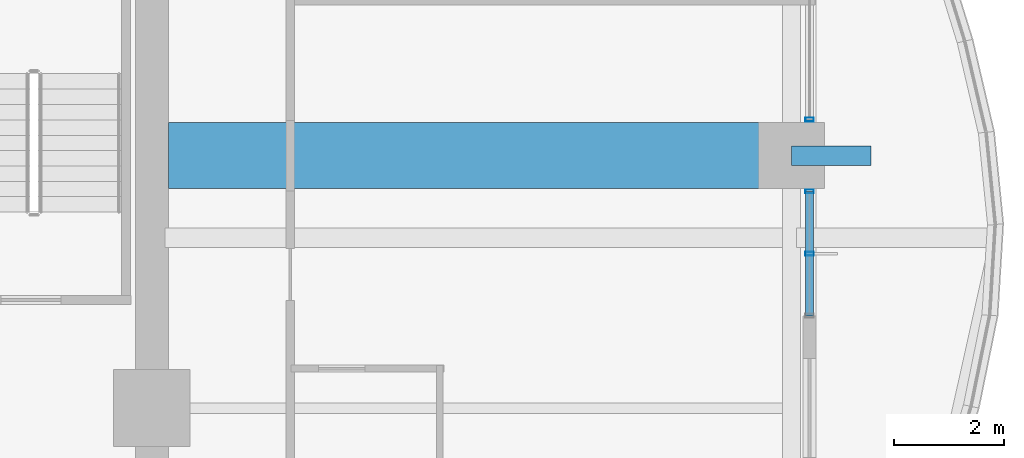
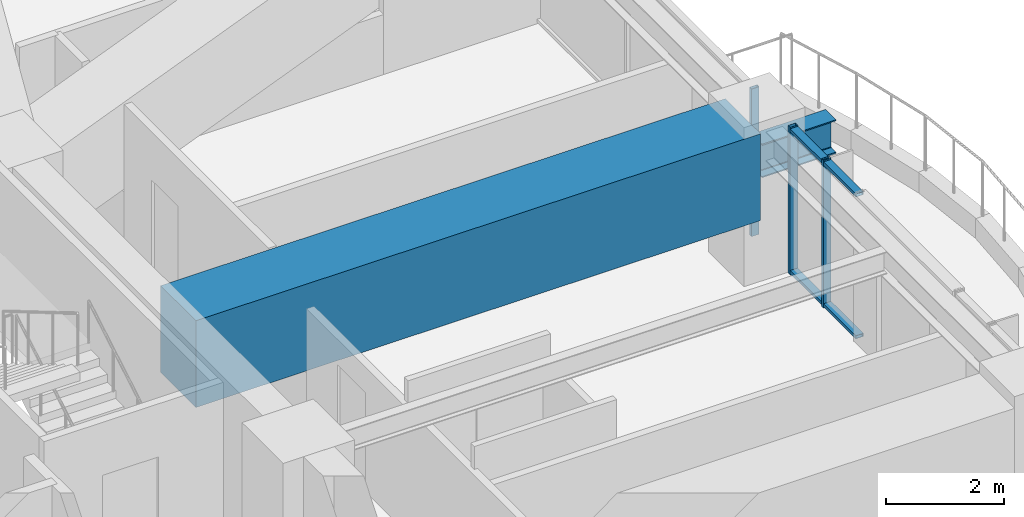
# One storey, part 17 of 39: 5 members, 2 beams, 2 elements without a shape of their own.
"""IFC4 building model written with IfcOpenShell, lengths in metres."""

from ifc_helpers import new_model, si_unit, direction, frame, origin, origin_2d, place, context, subcontext, project, spatial, rectangle, hollow_rectangle, i_section, extrude, material, material_profile, profile_set, type_object, element, aggregate, save


model = new_model("IFC4")

# Units and contexts
model_context = context("Model", 3, precision=1e-05, world=origin(), true_north=direction((0.0, 1.0)))
body_context = subcontext(model_context, "Body", "Model", "MODEL_VIEW")
ifc_project = project(units=[si_unit("LENGTHUNIT", "METRE"), si_unit("AREAUNIT", "SQUARE_METRE"), si_unit("VOLUMEUNIT", "CUBIC_METRE"), si_unit("PLANEANGLEUNIT", "RADIAN"), si_unit("MASSUNIT", "GRAM", prefix="KILO")], contexts=[model_context])

# Site, building, storey
site_placement = place(None, origin())
site = spatial("IfcSite", under=ifc_project, at=site_placement, CompositionType="ELEMENT")
building_placement = place(site_placement, origin())
building = spatial("IfcBuilding", under=site, at=building_placement, Name="Kolvaren Belvedere", CompositionType="ELEMENT")
storey_placement = place(building_placement, frame((0.0, 0.0, 40.300048828125)))
storey = spatial("IfcBuildingStorey", under=building, at=storey_placement, Name="L11", CompositionType="ELEMENT", Elevation=40.300048828125)

# Beams
ifc_material_1 = material(Name="Structural steel ASTM A992 Grade 50", Category="steel")
ifc_material_profile_1 = material_profile(ifc_material_1, i_section(OverallWidth=0.35498046875, OverallDepth=0.696044921875, WebThickness=0.015380859375, FlangeThickness=0.02490234375, FilletRadius=0.02197265625, at=origin_2d()), Name="W27X146")
ifc_profile_set_1 = profile_set([ifc_material_profile_1], Name="Structural steel ASTM A992 Grade 50")
beam_type_1 = type_object("IfcBeamType", Name="BM-CANT-BAL", PredefinedType="BEAM", material=ifc_profile_set_1)
beam_1_placement = place(storey_placement, frame((21.550048828125, 4.60009765625, 2.141845703125), z_axis=(1.0, 0.0, 0.0), x_axis=(0.0, 1.0, 0.0)))
element("IfcBeam", 1, at=beam_1_placement, inside=storey, type_object=beam_type_1, Name="L11 East Picture-Frame Column Corbel P", PredefinedType="BEAM", context=body_context, shape_type="SweptSolid", body=[
    extrude(i_section(OverallWidth=0.35498046875, OverallDepth=0.696044921875, WebThickness=0.015380859375, FlangeThickness=0.02490234375, FilletRadius=0.02197265625, at=origin_2d()), origin(), (0.0, 0.0, 1.0), 1.449951171875),
])
ifc_material_2 = material(Name="Concrete C50/60", Category="concrete")
ifc_material_profile_2 = material_profile(ifc_material_2, rectangle(XDim=1.199951171875, YDim=1.800048828125, at=origin_2d()), Name="RC 1200X1800")
ifc_profile_set_2 = profile_set([ifc_material_profile_2], Name="Concrete C50/60")
beam_type_2 = type_object("IfcBeamType", Name="BM-TG-1800", PredefinedType="BEAM", material=ifc_profile_set_2)
beam_2_placement = place(storey_placement, frame((10.199951171875, 4.60009765625, 2.159912109375), z_axis=(1.0, 0.0, 0.0), x_axis=(0.0, 1.0, 0.0)))
element("IfcBeam", 2, at=beam_2_placement, inside=storey, type_object=beam_type_2, Name="L11 East Radial Girder P", PredefinedType="BEAM", context=body_context, shape_type="SweptSolid", body=[
    extrude(rectangle(XDim=1.199951171875, YDim=1.800048828125, at=origin_2d()), origin(), (0.0, 0.0, 1.0), 11.080078125),
])

# Curtain wall, member
ifc_material_3 = material(Name="Anodised pale-metal aluminium AA 6063-T6", Category="aluminium")
curtain_wall_type = type_object("IfcCurtainWallType", Name="CW-Z1-LOW", PredefinedType="NOTDEFINED", material=ifc_material_3)
curtain_wall_1_placement = place(storey_placement, origin())
curtain_wall_1 = element("IfcCurtainWall", 3, at=curtain_wall_1_placement, inside=storey, type_object=curtain_wall_type, Name="L11 Unitised Curtain Wall FCW-L11-E1-B1", PredefinedType="NOTDEFINED")
ifc_material_4 = material(Name="Anodised pale-metal aluminium AA 6063-T6", Category="aluminium")
ifc_material_profile_3 = material_profile(ifc_material_4, hollow_rectangle(XDim=0.070068359375, YDim=0.14990234375, WallThickness=0.004150390625, at=origin_2d()), Name="ALU-MUL-150X70")
ifc_profile_set_3 = profile_set([ifc_material_profile_3], Name="Anodised pale-metal aluminium AA 6063-T6")
member_type_1 = type_object("IfcMemberType", Name="CW-MUL-150", PredefinedType="MULLION", material=ifc_profile_set_3)
member_1_placement = place(storey_placement, frame((21.8798828125, 5.2548828125, 0.0), z_axis=(0.0, 0.0, 1.0), x_axis=(0.0, 1.0, 0.0)))
member_1 = element("IfcMember", 4, at=member_1_placement, type_object=member_type_1, Name="FCW-L11-E1-B1 Unitised Mullion 3", PredefinedType="MULLION", context=body_context, shape_type="SweptSolid", body=[
    extrude(hollow_rectangle(XDim=0.070068359375, YDim=0.14990234375, WallThickness=0.004150390625, at=origin_2d()), origin(), (0.0, 0.0, 1.0), 3.06005859375),
])
aggregate(curtain_wall_1, [member_1])

# Curtain wall, members
curtain_wall_2_placement = place(storey_placement, origin())
curtain_wall_2 = element("IfcCurtainWall", 5, at=curtain_wall_2_placement, inside=storey, type_object=curtain_wall_type, Name="L11 Unitised Curtain Wall FCW-L11-E1-B2", PredefinedType="NOTDEFINED")
member_2_placement = place(storey_placement, frame((21.8798828125, 3.945068359375, 0.0), z_axis=(0.0, 0.0, 1.0), x_axis=(0.0, 1.0, 0.0)))
member_2 = element("IfcMember", 6, at=member_2_placement, type_object=member_type_1, Name="FCW-L11-E1-B2 Unitised Mullion 1", PredefinedType="MULLION", context=body_context, shape_type="SweptSolid", body=[
    extrude(hollow_rectangle(XDim=0.070068359375, YDim=0.14990234375, WallThickness=0.004150390625, at=origin_2d()), origin(), (0.0, 0.0, 1.0), 3.06005859375),
])
member_3_placement = place(storey_placement, frame((21.8798828125, 2.8125, 0.0), z_axis=(0.0, 0.0, 1.0), x_axis=(0.0, 1.0, 0.0)))
member_3 = element("IfcMember", 7, at=member_3_placement, type_object=member_type_1, Name="FCW-L11-E1-B2 Unitised Mullion 2", PredefinedType="MULLION", context=body_context, shape_type="SweptSolid", body=[
    extrude(hollow_rectangle(XDim=0.070068359375, YDim=0.14990234375, WallThickness=0.004150390625, at=origin_2d()), origin(), (0.0, 0.0, 1.0), 3.06005859375),
])
ifc_material_5 = material(Name="Anodised pale-metal aluminium AA 6063-T6", Category="aluminium")
ifc_material_profile_4 = material_profile(ifc_material_5, hollow_rectangle(XDim=0.06494140625, YDim=0.14990234375, WallThickness=0.00390625, at=origin_2d()), Name="ALU-TRN-150X65")
ifc_profile_set_4 = profile_set([ifc_material_profile_4], Name="Anodised pale-metal aluminium AA 6063-T6")
member_type_2 = type_object("IfcMemberType", Name="CW-TRN-150", PredefinedType="USERDEFINED", material=ifc_profile_set_4)
member_4_placement = place(storey_placement, frame((21.8798828125, 3.945068359375, 0.06005859375), z_axis=(0.0, -1.0, 0.0), x_axis=(0.0, 0.0, 1.0)))
member_4 = element("IfcMember", 8, at=member_4_placement, type_object=member_type_2, Name="FCW-L11-E1-B2 Sill Transom", ObjectType="TRANSOM", PredefinedType="USERDEFINED", context=body_context, shape_type="SweptSolid", body=[
    extrude(hollow_rectangle(XDim=0.06494140625, YDim=0.14990234375, WallThickness=0.00390625, at=origin_2d()), origin(), (0.0, 0.0, 1.0), 2.26513671875),
])
member_5_placement = place(storey_placement, frame((21.8798828125, 3.945068359375, 3.0), z_axis=(0.0, -1.0, 0.0), x_axis=(0.0, 0.0, 1.0)))
member_5 = element("IfcMember", 9, at=member_5_placement, type_object=member_type_2, Name="FCW-L11-E1-B2 Head Transom", ObjectType="TRANSOM", PredefinedType="USERDEFINED", context=body_context, shape_type="SweptSolid", body=[
    extrude(hollow_rectangle(XDim=0.06494140625, YDim=0.14990234375, WallThickness=0.00390625, at=origin_2d()), origin(), (0.0, 0.0, 1.0), 2.26513671875),
])
aggregate(curtain_wall_2, [member_2, member_3, member_4, member_5])

save(model, "model.ifc")
